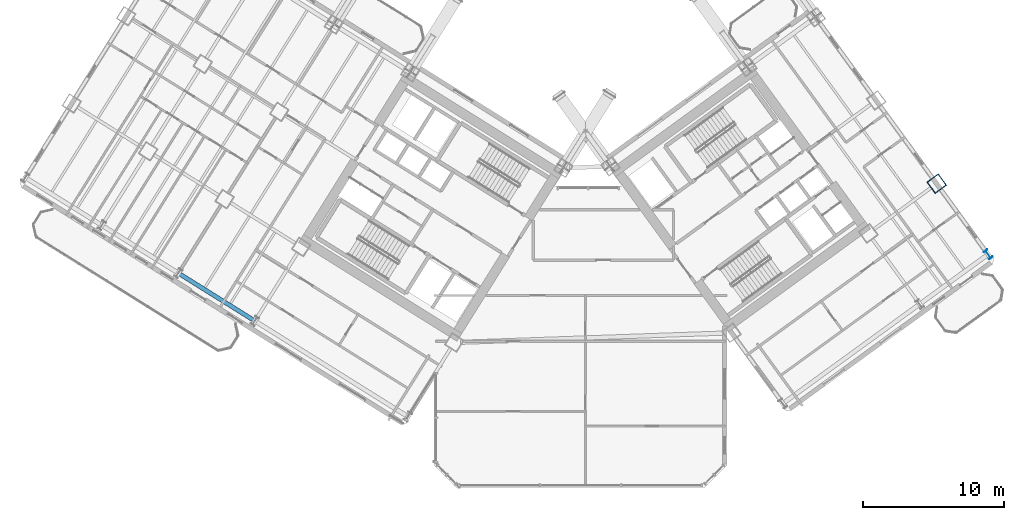
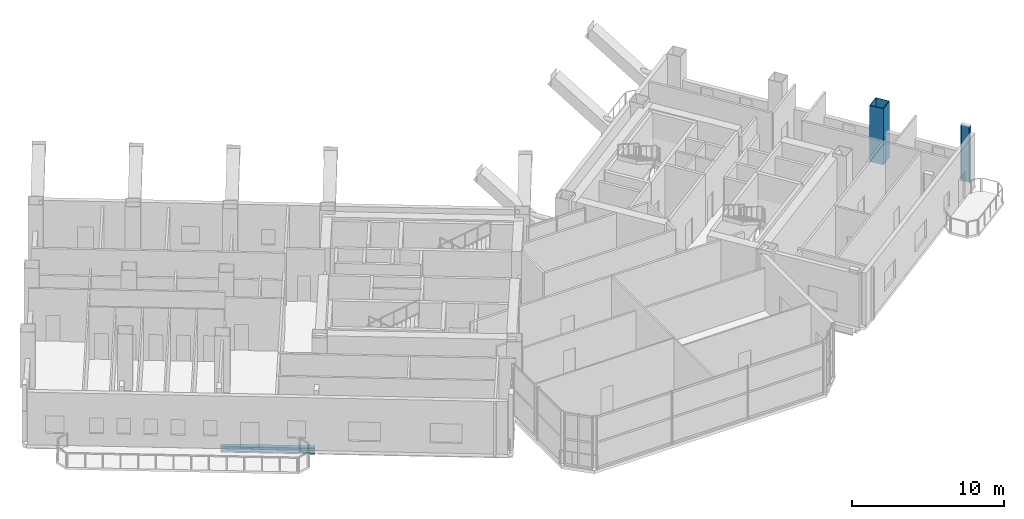
# One storey, part 4 of 30: 2 columns, 1 beam.
"""IFC4 building model written with IfcOpenShell, lengths in metres."""

from ifc_helpers import new_model, si_unit, direction, frame, origin, origin_2d, place, context, subcontext, project, spatial, hollow_rectangle, i_section, extrude, source, transform, mapped, material, material_profile, profile_set, type_object, element, save


model = new_model("IFC4")

# Units and contexts
model_context = context("Model", 3, precision=1e-05, world=origin(), true_north=direction((0.0, 1.0)))
body_context = subcontext(model_context, "Body", "Model", "MODEL_VIEW")
ifc_project = project(units=[si_unit("LENGTHUNIT", "METRE"), si_unit("AREAUNIT", "SQUARE_METRE"), si_unit("VOLUMEUNIT", "CUBIC_METRE"), si_unit("PLANEANGLEUNIT", "RADIAN"), si_unit("MASSUNIT", "GRAM", prefix="KILO")], contexts=[model_context])

# Site, building, storey
site_placement = place(None, origin())
site = spatial("IfcSite", under=ifc_project, at=site_placement, CompositionType="ELEMENT")
building_placement = place(site_placement, origin())
building = spatial("IfcBuilding", under=site, at=building_placement, Name="Tlacorven Tower", CompositionType="ELEMENT")
storey_placement = place(building_placement, frame((0.0, 0.0, 67.199951171875)))
storey = spatial("IfcBuildingStorey", under=building, at=storey_placement, Name="L17", CompositionType="ELEMENT", Elevation=67.199951171875)

# Columns
ifc_material_1 = material(Name="Steel S460M", Category="steel")
ifc_material_profile_1 = material_profile(ifc_material_1, hollow_rectangle(XDim=1.0, YDim=1.0, WallThickness=0.0400390625, at=origin_2d()), Name="BOX 1000X1000X40")
ifc_profile_set_1 = profile_set([ifc_material_profile_1], Name="Steel S460M")
column_type_1 = type_object("IfcColumnType", Name="COL-TWR-S1", PredefinedType="COLUMN", material=ifc_profile_set_1)
shared_shape_1 = source(origin(), body_context, "Body", "SweptSolid", [
    extrude(hollow_rectangle(XDim=1.0, YDim=1.0, WallThickness=0.0400390625, at=origin_2d()), origin(), (0.0, 0.0, 1.0), 4.5),
])
column_1_placement = place(storey_placement, frame((67.267822265625, 23.353515625, 0.0), z_axis=(0.0, 0.0, 1.0), x_axis=(0.809016994375, 0.587785252292, 0.0)))
element("IfcColumn", 1, at=column_1_placement, inside=storey, type_object=column_type_1, Name="L17 column COL-L17-E4-2", PredefinedType="COLUMN", context=body_context, shape_type="MappedRepresentation", body=[
    mapped(shared_shape_1, transform((0.0, 0.0, 0.0), scale=1.0)),
])
ifc_material_profile_2 = material_profile(ifc_material_1, i_section(OverallWidth=0.300048828125, OverallDepth=0.64990234375, WebThickness=0.01611328125, FlangeThickness=0.031005859375, at=origin_2d()), Name="HEB 650")
ifc_profile_set_2 = profile_set([ifc_material_profile_2], Name="Steel S460M")
column_type_2 = type_object("IfcColumnType", Name="COL-TWR-P1", PredefinedType="COLUMN", material=ifc_profile_set_2)
shared_shape_2 = source(origin(), body_context, "Body", "SweptSolid", [
    extrude(i_section(OverallWidth=0.300048828125, OverallDepth=0.64990234375, WebThickness=0.01611328125, FlangeThickness=0.031005859375, at=origin_2d()), origin(), (0.0, 0.0, 1.0), 4.5),
])
column_2_placement = place(storey_placement, frame((70.911865234375, 18.337646484375, 0.0), z_axis=(0.0, 0.0, 1.0), x_axis=(0.809016994375, 0.587785252292, 0.0)))
element("IfcColumn", 2, at=column_2_placement, inside=storey, type_object=column_type_2, Name="L17 column COL-L17-E4-1", PredefinedType="COLUMN", context=body_context, shape_type="MappedRepresentation", body=[
    mapped(shared_shape_2, transform((0.0, 0.0, 0.0), scale=1.0)),
])

# Beam
ifc_material_2 = material(Name="Steel S355J2", Category="steel")
ifc_material_profile_3 = material_profile(ifc_material_2, i_section(OverallWidth=0.300048828125, OverallDepth=0.489990234375, WebThickness=0.011962890625, FlangeThickness=0.02294921875, at=origin_2d()), Name="HEA 500")
ifc_profile_set_3 = profile_set([ifc_material_profile_3], Name="Steel S355J2")
beam_type = type_object("IfcBeamType", Name="BM-SPN-500", PredefinedType="SPANDREL", material=ifc_profile_set_3)
shared_shape_3 = source(origin(), body_context, "Body", "SweptSolid", [
    extrude(i_section(OverallWidth=0.300048828125, OverallDepth=0.489990234375, WebThickness=0.011962890625, FlangeThickness=0.02294921875, at=origin_2d()), origin(), (0.0, 0.0, 1.0), 6.199951171875),
])
beam_placement = place(storey_placement, frame((18.82080078125, 13.6650390625, -0.494873046875), z_axis=(-0.848051394107, 0.529913986372, 0.0), x_axis=(-0.529913986372, -0.848051394107, 0.0)))
element("IfcBeam", 3, at=beam_placement, inside=storey, type_object=beam_type, Name="L17 beam BM-L17-WL4-3", PredefinedType="SPANDREL", context=body_context, shape_type="MappedRepresentation", body=[
    mapped(shared_shape_3, transform((0.0, 0.0, 0.0), scale=1.0)),
])

save(model, "model.ifc")
